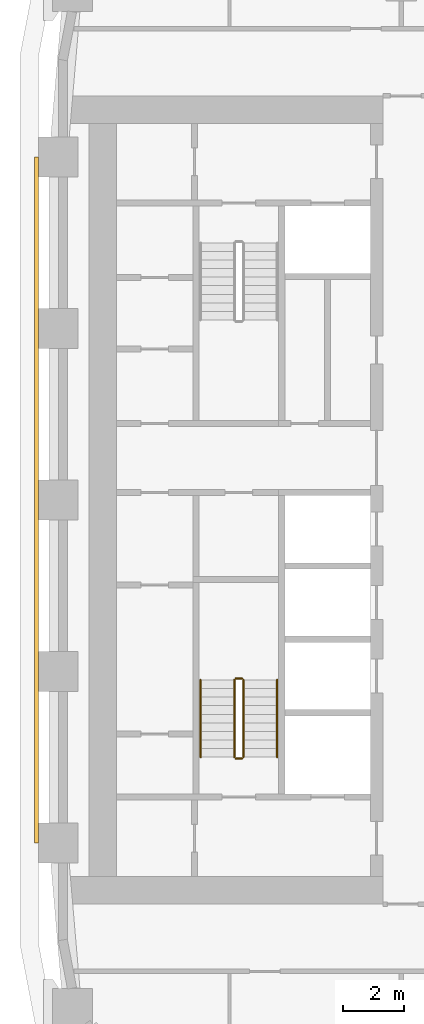
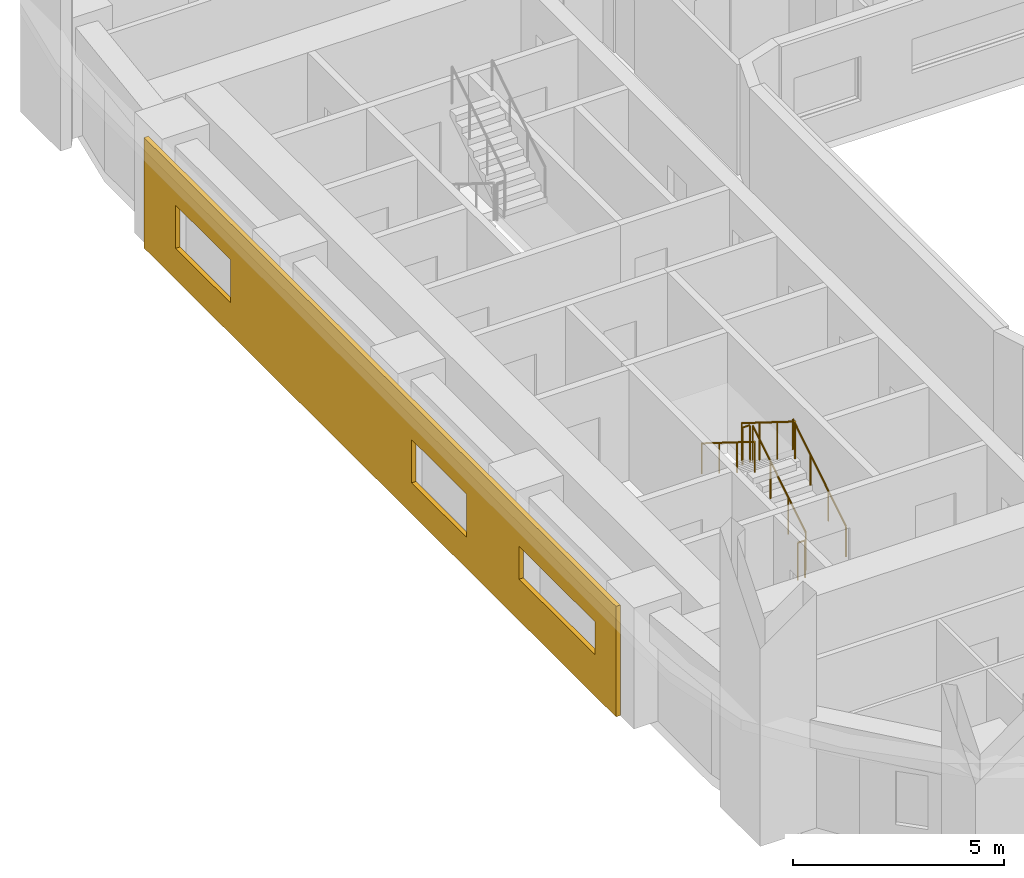
# One storey, part 13 of 19: 6 railings, 1 covering.
"""IFC4 building model written with IfcOpenShell, lengths in metres."""

from ifc_helpers import new_model, si_unit, direction, frame, origin, origin_2d, place, context, subcontext, project, spatial, polyline, circle, outline, extrude, material, layer, layer_set, type_object, element, save


model = new_model("IFC4")

# Units and contexts
model_context = context("Model", 3, precision=1e-05, world=origin(), true_north=direction((0.0, 1.0)))
body_context = subcontext(model_context, "Body", "Model", "MODEL_VIEW")
ifc_project = project(units=[si_unit("LENGTHUNIT", "METRE"), si_unit("AREAUNIT", "SQUARE_METRE"), si_unit("VOLUMEUNIT", "CUBIC_METRE"), si_unit("PLANEANGLEUNIT", "RADIAN"), si_unit("MASSUNIT", "GRAM", prefix="KILO")], contexts=[model_context])

# Site, building, storey
site_placement = place(None, origin())
site = spatial("IfcSite", under=ifc_project, at=site_placement, CompositionType="ELEMENT")
building_placement = place(site_placement, origin())
building = spatial("IfcBuilding", under=site, at=building_placement, Name="Kiln Ring Residences", CompositionType="ELEMENT")
storey_placement = place(building_placement, frame((0.0, 0.0, 83.300048828125)))
storey = spatial("IfcBuildingStorey", under=building, at=storey_placement, Name="L20", CompositionType="ELEMENT", Elevation=83.300048828125)

# Railings
ifc_material_1 = material(Name="Stainless steel", Category="steel")
railing_type_1 = type_object("IfcRailingType", Name="CORE-STAIR-GUARD", PredefinedType="GUARDRAIL", material=ifc_material_1)
railing_1_placement = place(storey_placement, frame((-21.949951171875, -8.39990234375, 0.175048828125)))
element("IfcRailing", 1, at=railing_1_placement, inside=storey, type_object=railing_type_1, Name="L20 W-STS stair guard 1", PredefinedType="GUARDRAIL", context=body_context, shape_type="SweptSolid", body=[
    extrude(circle(Radius=0.02392578125, at=origin_2d()), frame((0.0, 0.0, 1.076171875), z_axis=(0.0, 0.848007534815, 0.529984170421), x_axis=(-1.0, 0.0, 0.0)), (0.0, 0.0, 1.0), 2.9716796875),
    extrude(circle(Radius=0.02099609375, at=origin_2d()), origin(), (0.0, 0.0, 1.0), 1.052001953125),
    extrude(circle(Radius=0.02099609375, at=origin_2d()), frame((0.0, 0.840087890625, 0.52490234375)), (0.0, 0.0, 1.0), 1.052001953125),
    extrude(circle(Radius=0.02099609375, at=origin_2d()), frame((0.0, 1.679931640625, 1.050048828125)), (0.0, 0.0, 1.0), 1.052001953125),
    extrude(circle(Radius=0.02099609375, at=origin_2d()), frame((0.0, 2.52001953125, 1.574951171875)), (0.0, 0.0, 1.0), 1.052001953125),
])
railing_2_placement = place(storey_placement, frame((-22.0, -5.830078125, 1.75)))
element("IfcRailing", 2, at=railing_2_placement, inside=storey, type_object=railing_type_1, Name="L20 W-STS stair guard 2", PredefinedType="GUARDRAIL", context=body_context, shape_type="SweptSolid", body=[
    extrude(circle(Radius=0.02392578125, at=origin_2d()), frame((0.0, 0.0, 1.076171875), z_axis=(-1.0, 0.0, 0.0), x_axis=(0.0, -1.0, 0.0)), (0.0, 0.0, 1.0), 0.199951171875),
    extrude(circle(Radius=0.02099609375, at=origin_2d()), origin(), (0.0, 0.0, 1.0), 1.052001953125),
    extrude(circle(Radius=0.02099609375, at=origin_2d()), frame((-0.199951171875, 0.0, 0.0)), (0.0, 0.0, 1.0), 1.052001953125),
])
railing_3_placement = place(storey_placement, frame((-22.25, -5.8798828125, 1.925048828125)))
element("IfcRailing", 3, at=railing_3_placement, inside=storey, type_object=railing_type_1, Name="L20 W-STS stair guard 3", PredefinedType="GUARDRAIL", context=body_context, shape_type="SweptSolid", body=[
    extrude(circle(Radius=0.02392578125, at=origin_2d()), frame((0.0, 0.0, 1.076171875), z_axis=(0.0, -0.848007534815, 0.529984170421), x_axis=(1.0, 0.0, 0.0)), (0.0, 0.0, 1.0), 2.9716796875),
    extrude(circle(Radius=0.02099609375, at=origin_2d()), origin(), (0.0, 0.0, 1.0), 1.052001953125),
    extrude(circle(Radius=0.02099609375, at=origin_2d()), frame((0.0, -0.840087890625, 0.52490234375)), (0.0, 0.0, 1.0), 1.052001953125),
    extrude(circle(Radius=0.02099609375, at=origin_2d()), frame((0.0, -1.679931640625, 1.050048828125)), (0.0, 0.0, 1.0), 1.052001953125),
    extrude(circle(Radius=0.02099609375, at=origin_2d()), frame((0.0, -2.52001953125, 1.574951171875)), (0.0, 0.0, 1.0), 1.052001953125),
])
railing_4_placement = place(storey_placement, frame((-22.0, -8.449951171875, 0.0)))
element("IfcRailing", 4, at=railing_4_placement, inside=storey, type_object=railing_type_1, Name="L20 W-STS stair guard 4", PredefinedType="GUARDRAIL", context=body_context, shape_type="SweptSolid", body=[
    extrude(circle(Radius=0.02392578125, at=origin_2d()), frame((0.0, 0.0, 1.076171875), z_axis=(-1.0, 0.0, 0.0), x_axis=(0.0, -1.0, 0.0)), (0.0, 0.0, 1.0), 0.199951171875),
    extrude(circle(Radius=0.02099609375, at=origin_2d()), origin(), (0.0, 0.0, 1.0), 1.052001953125),
    extrude(circle(Radius=0.02099609375, at=origin_2d()), frame((-0.199951171875, 0.0, 0.0)), (0.0, 0.0, 1.0), 1.052001953125),
])
ifc_material_2 = material(Name="Stainless steel", Category="steel")
railing_type_2 = type_object("IfcRailingType", Name="CORE-STAIR-HANDRAIL", PredefinedType="HANDRAIL", material=ifc_material_2)
railing_5_placement = place(storey_placement, frame((-20.85009765625, -8.39990234375, 0.175048828125)))
element("IfcRailing", 5, at=railing_5_placement, inside=storey, type_object=railing_type_2, Name="L20 W-STS stair handrail 1", PredefinedType="HANDRAIL", context=body_context, shape_type="SweptSolid", body=[
    extrude(circle(Radius=0.02392578125, at=origin_2d()), frame((0.0, 0.0, 0.8759765625), z_axis=(0.0, 0.848007534815, 0.529984170421), x_axis=(-1.0, 0.0, 0.0)), (0.0, 0.0, 1.0), 2.9716796875),
    extrude(circle(Radius=0.02099609375, at=origin_2d()), origin(), (0.0, 0.0, 1.0), 0.851806640625),
    extrude(circle(Radius=0.02099609375, at=origin_2d()), frame((0.0, 0.840087890625, 0.52490234375)), (0.0, 0.0, 1.0), 0.851806640625),
    extrude(circle(Radius=0.02099609375, at=origin_2d()), frame((0.0, 1.679931640625, 1.050048828125)), (0.0, 0.0, 1.0), 0.851806640625),
    extrude(circle(Radius=0.02099609375, at=origin_2d()), frame((0.0, 2.52001953125, 1.574951171875)), (0.0, 0.0, 1.0), 0.851806640625),
])
railing_6_placement = place(storey_placement, frame((-23.35009765625, -5.8798828125, 1.925048828125)))
element("IfcRailing", 6, at=railing_6_placement, inside=storey, type_object=railing_type_2, Name="L20 W-STS stair handrail 2", PredefinedType="HANDRAIL", context=body_context, shape_type="SweptSolid", body=[
    extrude(circle(Radius=0.02392578125, at=origin_2d()), frame((0.0, 0.0, 0.8759765625), z_axis=(0.0, -0.848007534815, 0.529984170421), x_axis=(1.0, 0.0, 0.0)), (0.0, 0.0, 1.0), 2.9716796875),
    extrude(circle(Radius=0.02099609375, at=origin_2d()), origin(), (0.0, 0.0, 1.0), 0.851806640625),
    extrude(circle(Radius=0.02099609375, at=origin_2d()), frame((0.0, -0.840087890625, 0.52490234375)), (0.0, 0.0, 1.0), 0.851806640625),
    extrude(circle(Radius=0.02099609375, at=origin_2d()), frame((0.0, -1.679931640625, 1.050048828125)), (0.0, 0.0, 1.0), 0.851806640625),
    extrude(circle(Radius=0.02099609375, at=origin_2d()), frame((0.0, -2.52001953125, 1.574951171875)), (0.0, 0.0, 1.0), 0.851806640625),
])

# Covering
ifc_material_3 = material(Name="Brick masonry, dark clay brick", Category="masonry")
ifc_layer = layer(ifc_material_3, 0.1201171875)
ifc_layer_set = layer_set([ifc_layer], Name="RAINSCREEN PANEL 120")
covering_type = type_object("IfcCoveringType", Name="RAINSCREEN PANEL 120", PredefinedType="CLADDING", material=ifc_layer_set)
covering_placement = place(storey_placement, frame((-28.7099609375, 11.199951171875, 0.0), z_axis=(0.0, 0.0, 1.0), x_axis=(0.0, -1.0, 0.0)))
element("IfcCovering", 7, at=covering_placement, inside=storey, type_object=covering_type, Name="RAINSCREEN L20", PredefinedType="CLADDING", context=body_context, shape_type="SweptSolid", body=[
    extrude(outline(polyline([(0.0, 0.0), (22.39990234375, 0.0), (22.39990234375, 3.199951171875), (0.0, 3.199951171875), (0.0, 0.0)]), holes=[polyline([(4.10009765625, 2.14990234375), (1.5, 2.14990234375), (1.5, 0.89990234375), (4.10009765625, 0.89990234375), (4.10009765625, 2.14990234375)]), polyline([(15.300048828125, 0.89990234375), (15.300048828125, 2.14990234375), (12.699951171875, 2.14990234375), (12.699951171875, 0.89990234375), (15.300048828125, 0.89990234375)]), polyline([(21.39990234375, 1.199951171875), (21.39990234375, 2.14990234375), (17.800048828125, 2.14990234375), (17.800048828125, 1.199951171875), (21.39990234375, 1.199951171875)])]), frame((0.0, 0.06005859375, 0.0), z_axis=(0.0, -1.0, 0.0), x_axis=(1.0, 0.0, 0.0)), (0.0, 0.0, 1.0), 0.1201171875),
])

save(model, "model.ifc")
